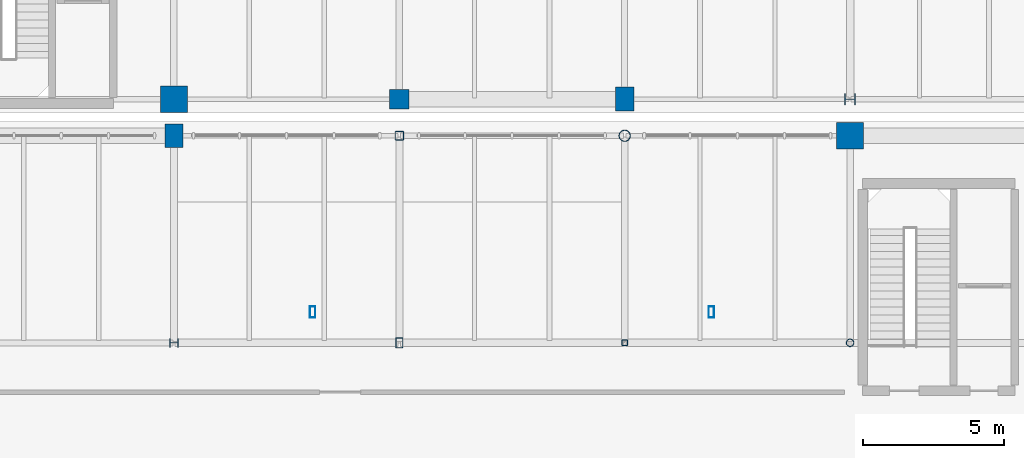
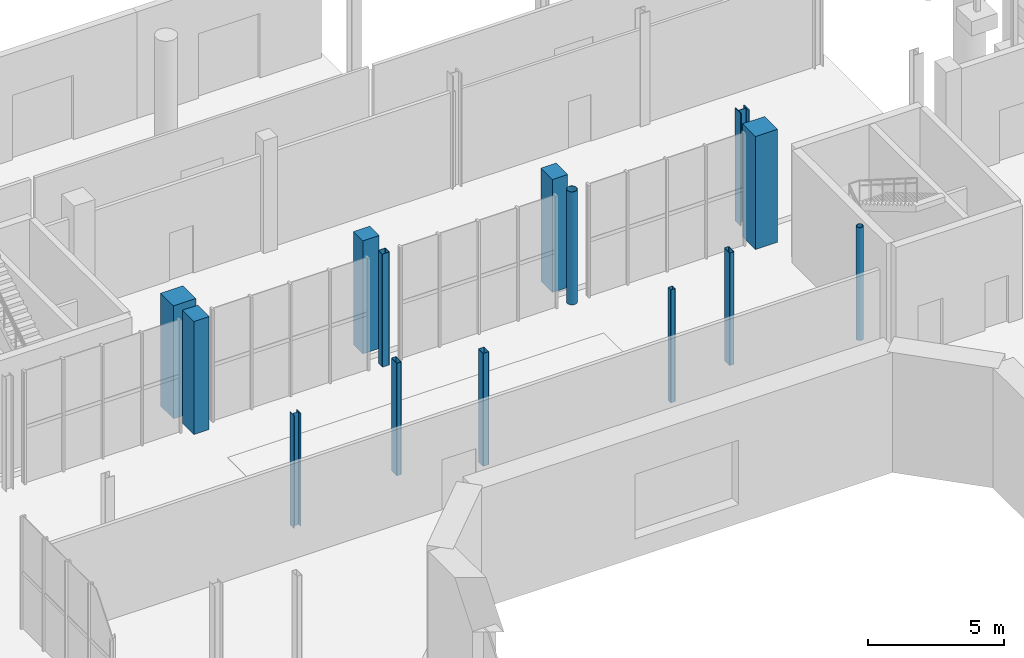
# One storey, part 22 of 87: 14 columns.
"""IFC4 building model written with IfcOpenShell, lengths in metres."""

from ifc_helpers import new_model, si_unit, direction, frame, origin, origin_2d, place, context, subcontext, project, spatial, rectangle, hollow_rectangle, hollow_circle, i_section, extrude, material, material_profile, profile_set, type_object, element, save


model = new_model("IFC4")

# Units and contexts
model_context = context("Model", 3, precision=1e-05, world=origin(), true_north=direction((0.0, 1.0)))
body_context = subcontext(model_context, "Body", "Model", "MODEL_VIEW")
ifc_project = project(units=[si_unit("LENGTHUNIT", "METRE"), si_unit("AREAUNIT", "SQUARE_METRE"), si_unit("VOLUMEUNIT", "CUBIC_METRE"), si_unit("PLANEANGLEUNIT", "RADIAN"), si_unit("MASSUNIT", "GRAM", prefix="KILO")], contexts=[model_context])

# Site, building, storey
site_placement = place(None, origin())
site = spatial("IfcSite", under=ifc_project, at=site_placement, CompositionType="ELEMENT")
building_placement = place(site_placement, origin())
building = spatial("IfcBuilding", under=site, at=building_placement, Name="Brisemont Oceanarium", CompositionType="ELEMENT")
storey_placement = place(building_placement, origin())
storey = spatial("IfcBuildingStorey", under=building, at=storey_placement, Name="L00", CompositionType="ELEMENT", Elevation=0.0)

# Columns
ifc_material_1 = material(Name="Structural Steel ASTM A500 Gr.C", Category="steel")
ifc_material_profile_1 = material_profile(ifc_material_1, hollow_circle(Radius=0.136474609375, WallThickness=0.01171875, at=origin_2d()), Name="HSS10.750X0.500")
ifc_profile_set_1 = profile_set([ifc_material_profile_1], Name="Structural Steel ASTM A500 Gr.C")
column_type_1 = type_object("IfcColumnType", Name="COL-CHS10", PredefinedType="COLUMN", material=ifc_profile_set_1)
column_1_placement = place(storey_placement, frame((96.0, 72.0, 0.0), z_axis=(0.0, 0.0, 1.0), x_axis=(1.0, 0.0, 0.0)))
element("IfcColumn", 1, at=column_1_placement, inside=storey, type_object=column_type_1, Name="V1 L00 column (5,5)", PredefinedType="COLUMN", context=body_context, shape_type="SweptSolid", body=[
    extrude(hollow_circle(Radius=0.136474609375, WallThickness=0.01171875, at=origin_2d()), origin(), (0.0, 0.0, 1.0), 5.080078125),
])
ifc_material_2 = material(Name="Structural Steel ASTM A500 Gr.C", Category="steel")
ifc_material_profile_2 = material_profile(ifc_material_2, hollow_circle(Radius=0.202880859375, WallThickness=0.01171875, at=origin_2d()), Name="HSS16.000X0.500")
ifc_profile_set_2 = profile_set([ifc_material_profile_2], Name="Structural Steel ASTM A500 Gr.C")
column_type_2 = type_object("IfcColumnType", Name="COL-CHS16", PredefinedType="COLUMN", material=ifc_profile_set_2)
column_2_placement = place(storey_placement, frame((88.0, 79.35009765625, 0.0), z_axis=(0.0, 0.0, 1.0), x_axis=(1.0, 0.0, 0.0)))
element("IfcColumn", 2, at=column_2_placement, inside=storey, type_object=column_type_2, Name="V1 L00 column (4,6)", PredefinedType="COLUMN", context=body_context, shape_type="SweptSolid", body=[
    extrude(hollow_circle(Radius=0.202880859375, WallThickness=0.01171875, at=origin_2d()), origin(), (0.0, 0.0, 1.0), 5.080078125),
])
ifc_material_3 = material(Name="Structural Steel ASTM A500 Gr.C", Category="steel")
ifc_material_profile_3 = material_profile(ifc_material_3, hollow_rectangle(XDim=0.304931640625, YDim=0.304931640625, WallThickness=0.01171875, InnerFilletRadius=0.01220703125, OuterFilletRadius=0.02392578125, at=origin_2d()), Name="HSS12X12X1/2")
ifc_profile_set_3 = profile_set([ifc_material_profile_3], Name="Structural Steel ASTM A500 Gr.C")
column_type_3 = type_object("IfcColumnType", Name="COL-HSS12X12", PredefinedType="COLUMN", material=ifc_profile_set_3)
column_3_placement = place(storey_placement, frame((80.0, 79.35009765625, 0.0), z_axis=(0.0, 0.0, 1.0), x_axis=(0.0, 1.0, 0.0)))
element("IfcColumn", 3, at=column_3_placement, inside=storey, type_object=column_type_3, Name="V1 L00 column (3,6)", PredefinedType="COLUMN", context=body_context, shape_type="SweptSolid", body=[
    extrude(hollow_rectangle(XDim=0.304931640625, YDim=0.304931640625, WallThickness=0.01171875, InnerFilletRadius=0.01220703125, OuterFilletRadius=0.02392578125, at=origin_2d()), origin(), (0.0, 0.0, 1.0), 5.080078125),
])
ifc_material_4 = material(Name="Structural Steel ASTM A500 Gr.C", Category="steel")
ifc_material_profile_4 = material_profile(ifc_material_4, hollow_rectangle(XDim=0.25390625, YDim=0.35595703125, WallThickness=0.01171875, InnerFilletRadius=0.01220703125, OuterFilletRadius=0.02392578125, at=origin_2d()), Name="HSS14X10X1/2")
ifc_profile_set_4 = profile_set([ifc_material_profile_4], Name="Structural Steel ASTM A500 Gr.C")
column_type_4 = type_object("IfcColumnType", Name="COL-HSS14X10", PredefinedType="COLUMN", material=ifc_profile_set_4)
column_4_placement = place(storey_placement, frame((80.0, 72.0, 0.0), z_axis=(0.0, 0.0, 1.0), x_axis=(1.0, 0.0, 0.0)))
element("IfcColumn", 4, at=column_4_placement, inside=storey, type_object=column_type_4, Name="V1 L00 column (3,5)", PredefinedType="COLUMN", context=body_context, shape_type="SweptSolid", body=[
    extrude(hollow_rectangle(XDim=0.25390625, YDim=0.35595703125, WallThickness=0.01171875, InnerFilletRadius=0.01220703125, OuterFilletRadius=0.02392578125, at=origin_2d()), origin(), (0.0, 0.0, 1.0), 5.080078125),
])
ifc_material_5 = material(Name="Structural Steel ASTM A500 Gr.C", Category="steel")
ifc_material_profile_5 = material_profile(ifc_material_5, hollow_rectangle(XDim=0.202880859375, YDim=0.406005859375, WallThickness=0.01171875, InnerFilletRadius=0.01220703125, OuterFilletRadius=0.02392578125, at=origin_2d()), Name="HSS16X8X1/2")
ifc_profile_set_5 = profile_set([ifc_material_profile_5], Name="Structural Steel ASTM A500 Gr.C")
column_type_5 = type_object("IfcColumnType", Name="COL-HSS16X8", PredefinedType="COLUMN", material=ifc_profile_set_5)
for number, where, z_axis, x_axis, name in (
    (5, (91.07958984375, 73.091796875, 0.0), (0.0, 0.0, 1.0), (1.0, 0.0, 0.0), "V1 dome drum pier L00.2"),
    (6, (76.92041015625, 73.091796875, 0.0), (0.0, 0.0, 1.0), (1.0, 0.0, 0.0), "V1 dome drum pier L00.3"),
):
    element("IfcColumn", number, at=place(storey_placement, frame(where, z_axis=z_axis, x_axis=x_axis)), inside=storey, type_object=column_type_5, Name=name, PredefinedType="COLUMN", context=body_context, shape_type="SweptSolid", body=[
        extrude(hollow_rectangle(XDim=0.202880859375, YDim=0.406005859375, WallThickness=0.01171875, InnerFilletRadius=0.01220703125, OuterFilletRadius=0.02392578125, at=origin_2d()), origin(), (0.0, 0.0, 1.0), 5.06005859375),
    ])
ifc_material_6 = material(Name="Structural Steel ASTM A500 Gr.C", Category="steel")
ifc_material_profile_6 = material_profile(ifc_material_6, hollow_rectangle(XDim=0.202880859375, YDim=0.202880859375, WallThickness=0.0087890625, InnerFilletRadius=0.009033203125, OuterFilletRadius=0.01806640625, at=origin_2d()), Name="HSS8X8X3/8")
ifc_profile_set_6 = profile_set([ifc_material_profile_6], Name="Structural Steel ASTM A500 Gr.C")
column_type_6 = type_object("IfcColumnType", Name="COL-HSS8X8", PredefinedType="COLUMN", material=ifc_profile_set_6)
column_5_placement = place(storey_placement, frame((88.0, 72.0, 0.0), z_axis=(0.0, 0.0, 1.0), x_axis=(0.0, 1.0, 0.0)))
element("IfcColumn", 7, at=column_5_placement, inside=storey, type_object=column_type_6, Name="V1 L00 column (4,5)", PredefinedType="COLUMN", context=body_context, shape_type="SweptSolid", body=[
    extrude(hollow_rectangle(XDim=0.202880859375, YDim=0.202880859375, WallThickness=0.0087890625, InnerFilletRadius=0.009033203125, OuterFilletRadius=0.01806640625, at=origin_2d()), origin(), (0.0, 0.0, 1.0), 5.080078125),
])
ifc_material_7 = material(Name="Concrete C35/45", Category="concrete")
ifc_material_profile_7 = material_profile(ifc_material_7, rectangle(XDim=0.699951171875, YDim=0.699951171875, at=origin_2d()), Name="RC-COL-700X700")
ifc_profile_set_7 = profile_set([ifc_material_profile_7], Name="Concrete C35/45")
column_type_7 = type_object("IfcColumnType", Name="COL-RC700", PredefinedType="COLUMN", material=ifc_profile_set_7)
column_6_placement = place(storey_placement, frame((80.0, 80.64990234375, 0.0), z_axis=(0.0, 0.0, 1.0), x_axis=(0.0, 1.0, 0.0)))
element("IfcColumn", 8, at=column_6_placement, inside=storey, type_object=column_type_7, Name="V7E L00 column (3,0)", PredefinedType="COLUMN", context=body_context, shape_type="SweptSolid", body=[
    extrude(rectangle(XDim=0.699951171875, YDim=0.699951171875, at=origin_2d()), origin(), (0.0, 0.0, 1.0), 5.080078125),
])
ifc_material_8 = material(Name="Concrete C40/50", Category="concrete")
ifc_material_profile_8 = material_profile(ifc_material_8, rectangle(XDim=0.949951171875, YDim=0.949951171875, at=origin_2d()), Name="RC-COL-950X950")
ifc_profile_set_8 = profile_set([ifc_material_profile_8], Name="Concrete C40/50")
column_type_8 = type_object("IfcColumnType", Name="COL-RC950", PredefinedType="COLUMN", material=ifc_profile_set_8)
for number, where, z_axis, x_axis, name in (
    (9, (96.0, 79.35009765625, 0.0), (0.0, 0.0, 1.0), (0.0, 1.0, 0.0), "V1 L00 column (5,6)"),
    (10, (72.0, 80.64990234375, 0.0), (0.0, 0.0, 1.0), (1.0, 0.0, 0.0), "V7E L00 column (2,0)"),
):
    element("IfcColumn", number, at=place(storey_placement, frame(where, z_axis=z_axis, x_axis=x_axis)), inside=storey, type_object=column_type_8, Name=name, PredefinedType="COLUMN", context=body_context, shape_type="SweptSolid", body=[
        extrude(rectangle(XDim=0.949951171875, YDim=0.949951171875, at=origin_2d()), origin(), (0.0, 0.0, 1.0), 5.080078125),
    ])
ifc_material_9 = material(Name="Structural Steel ASTM A992 Gr.50", Category="steel")
ifc_material_profile_9 = material_profile(ifc_material_9, i_section(OverallWidth=0.304931640625, OverallDepth=0.306884765625, WebThickness=0.010009765625, FlangeThickness=0.015380859375, FilletRadius=0.012939453125, at=origin_2d()), Name="W12X65")
ifc_profile_set_9 = profile_set([ifc_material_profile_9], Name="Structural Steel ASTM A992 Gr.50")
column_type_9 = type_object("IfcColumnType", Name="COL-W12X65", PredefinedType="COLUMN", material=ifc_profile_set_9)
column_7_placement = place(storey_placement, frame((72.0, 72.0, 0.0), z_axis=(0.0, 0.0, 1.0), x_axis=(0.0, 1.0, 0.0)))
element("IfcColumn", 11, at=column_7_placement, inside=storey, type_object=column_type_9, Name="V1 L00 column (2,5)", PredefinedType="COLUMN", context=body_context, shape_type="SweptSolid", body=[
    extrude(i_section(OverallWidth=0.304931640625, OverallDepth=0.306884765625, WebThickness=0.010009765625, FlangeThickness=0.015380859375, FilletRadius=0.012939453125, at=origin_2d()), origin(), (0.0, 0.0, 1.0), 5.080078125),
])
ifc_material_10 = material(Name="Structural Steel ASTM A992 Gr.50", Category="steel")
ifc_material_profile_10 = material_profile(ifc_material_10, i_section(OverallWidth=0.40087890625, OverallDepth=0.39892578125, WebThickness=0.02490234375, FlangeThickness=0.03955078125, FilletRadius=0.014892578125, at=origin_2d()), Name="W14X211")
ifc_profile_set_10 = profile_set([ifc_material_profile_10], Name="Structural Steel ASTM A992 Gr.50")
column_type_10 = type_object("IfcColumnType", Name="COL-W14X211", PredefinedType="COLUMN", material=ifc_profile_set_10)
column_8_placement = place(storey_placement, frame((96.0, 80.64990234375, 0.0), z_axis=(0.0, 0.0, 1.0), x_axis=(0.0, 1.0, 0.0)))
element("IfcColumn", 12, at=column_8_placement, inside=storey, type_object=column_type_10, Name="V7E L00 column (5,0)", PredefinedType="COLUMN", context=body_context, shape_type="SweptSolid", body=[
    extrude(i_section(OverallWidth=0.40087890625, OverallDepth=0.39892578125, WebThickness=0.02490234375, FlangeThickness=0.03955078125, FilletRadius=0.014892578125, at=origin_2d()), origin(), (0.0, 0.0, 1.0), 5.080078125),
])
ifc_material_11 = material(Name="Precast Concrete C40/50", Category="concrete")
ifc_material_profile_11 = material_profile(ifc_material_11, rectangle(XDim=0.64990234375, YDim=0.85009765625, at=origin_2d()), Name="RC-PIL-650X850")
ifc_profile_set_11 = profile_set([ifc_material_profile_11], Name="Precast Concrete C40/50")
column_type_11 = type_object("IfcColumnType", Name="PIL-RC650X850", PredefinedType="PILASTER", material=ifc_profile_set_11)
for number, where, z_axis, x_axis, name in (
    (13, (72.0, 79.35009765625, 0.0), (0.0, 0.0, 1.0), (1.0, 0.0, 0.0), "V1 L00 column (2,6)"),
    (14, (88.0, 80.64990234375, 0.0), (0.0, 0.0, 1.0), (1.0, 0.0, 0.0), "V7E L00 column (4,0)"),
):
    element("IfcColumn", number, at=place(storey_placement, frame(where, z_axis=z_axis, x_axis=x_axis)), inside=storey, type_object=column_type_11, Name=name, PredefinedType="PILASTER", context=body_context, shape_type="SweptSolid", body=[
        extrude(rectangle(XDim=0.64990234375, YDim=0.85009765625, at=origin_2d()), origin(), (0.0, 0.0, 1.0), 5.080078125),
    ])

save(model, "model.ifc")
